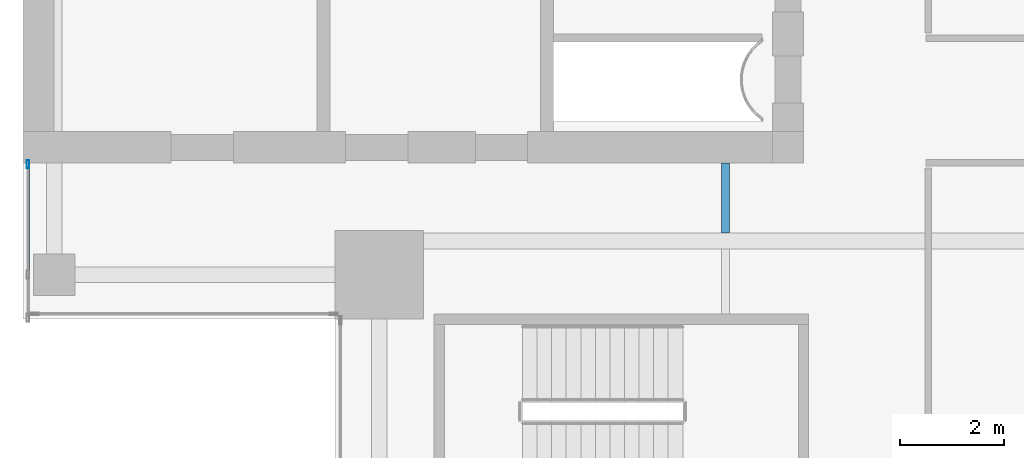
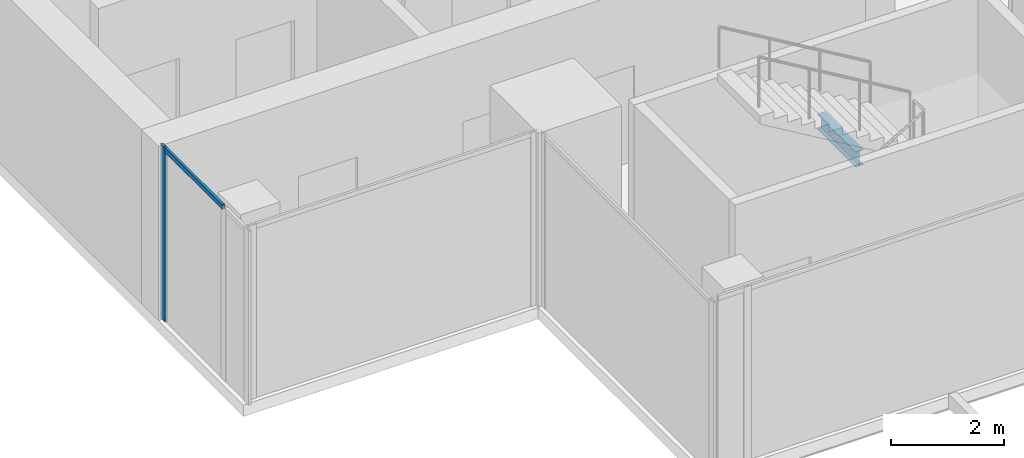
# One storey, part 4 of 29: 2 members, 1 beam, 1 element without a shape of its own.
"""IFC4 building model written with IfcOpenShell, lengths in metres."""

import ifcopenshell
import ifcopenshell.guid

model = None  # the IFC model being written
_history = None  # IfcOwnerHistory: only IFC2X3 demands one
_inside = {}  # id of a spatial element -> (the spatial element, [elements in it])
_under = {}  # id of a project, library or spatial element -> (it, [spatial elements below it])
_declared = {}  # id of a project -> (the project, [libraries it declares])
_typed = {}  # id of a type object -> (the type object, [elements of that type])
_made_of = {}  # id of a material, layer set ... -> (it, [elements and type objects made of it])


def new_model(schema):
    """Start an empty IFC model of exactly this schema.

    Asked for "IFC4X3", IfcOpenShell would pick the latest addendum, in which some entities
    have other attributes; the version numbers below select the first issue.
    IFC2X3 requires an IfcOwnerHistory on every rooted entity: one is made here for all.
    """
    global model, _history
    if schema == "IFC4X3":
        model = ifcopenshell.file(schema_version=(4, 3, 0, 0))
    else:
        model = ifcopenshell.file(schema=schema)
    _inside.clear()
    _under.clear()
    _declared.clear()
    _typed.clear()
    _made_of.clear()
    _history = None
    if model.schema == "IFC2X3":
        org = make("IfcOrganization", Name="unknown")
        user = make(
            "IfcPersonAndOrganization",
            ThePerson=make("IfcPerson", FamilyName="unknown"),
            TheOrganization=org,
        )
        app = make(
            "IfcApplication",
            ApplicationDeveloper=org,
            Version="unknown",
            ApplicationFullName="unknown",
            ApplicationIdentifier="unknown",
        )
        _history = make(
            "IfcOwnerHistory",
            OwningUser=user,
            OwningApplication=app,
            ChangeAction="ADDED",
            CreationDate=0,
        )
    return model


def make(cls, **values):
    """One entity of the class cls with the attributes given. An attribute that is None is left unset."""
    return model.create_entity(
        cls, **{name: value for name, value in values.items() if value is not None}
    )


def rooted(cls, **values):
    """An entity with a GlobalId (a new one), such as an element, a storey or a relation."""
    return make(cls, GlobalId=ifcopenshell.guid.new(), OwnerHistory=_history, **values)


def si_unit(unit_type, name, prefix=None):
    """IfcSIUnit, for example si_unit("LENGTHUNIT", "METRE", prefix="MILLI")."""
    return make("IfcSIUnit", UnitType=unit_type, Prefix=prefix, Name=name)


def assignment(units):
    """IfcUnitAssignment: the units of a project."""
    return None if units is None else make("IfcUnitAssignment", Units=units)


def point(xyz):
    """IfcCartesianPoint."""
    return None if xyz is None else make("IfcCartesianPoint", Coordinates=xyz)


def direction(xyz):
    """IfcDirection."""
    return None if xyz is None else make("IfcDirection", DirectionRatios=xyz)


def frame(location, z_axis=None, x_axis=None):
    """IfcAxis2Placement3D, a coordinate frame: its origin and axes. An axis left out is left unset."""
    return make(
        "IfcAxis2Placement3D",
        Location=point(location),
        Axis=direction(z_axis),
        RefDirection=direction(x_axis),
    )


def frame_2d(location, x_axis=None):
    """IfcAxis2Placement2D, a coordinate frame in the plane: its origin and x axis."""
    return make(
        "IfcAxis2Placement2D", Location=point(location), RefDirection=direction(x_axis)
    )


def origin():
    """The frame at (0, 0, 0) with its axes left unset."""
    return frame((0.0, 0.0, 0.0))


def origin_2d():
    """The frame at (0, 0) in the plane with its x axis left unset."""
    return frame_2d((0.0, 0.0))


def place(relative_to, where):
    """IfcLocalPlacement: puts the frame where relative to a parent placement (None: the world)."""
    return make(
        "IfcLocalPlacement", PlacementRelTo=relative_to, RelativePlacement=where
    )


def context(
    kind, dimensions, precision=None, world=None, true_north=None, identifier=None
):
    """IfcGeometricRepresentationContext, for example the 3D "Model" context."""
    return make(
        "IfcGeometricRepresentationContext",
        ContextIdentifier=identifier,
        ContextType=kind,
        CoordinateSpaceDimension=dimensions,
        Precision=precision,
        WorldCoordinateSystem=world,
        TrueNorth=true_north,
    )


def subcontext(parent, identifier, kind, view, scale=None):
    """IfcGeometricRepresentationSubContext, for example "Body" below "Model"."""
    return make(
        "IfcGeometricRepresentationSubContext",
        ContextIdentifier=identifier,
        ContextType=kind,
        ParentContext=parent,
        TargetScale=scale,
        TargetView=view,
    )


def project(units=None, contexts=None):
    """IfcProject with its units and contexts."""
    return rooted(
        "IfcProject",
        Name="project",
        RepresentationContexts=contexts,
        UnitsInContext=assignment(units),
    )


def spatial(cls, under=None, at=None, **own):
    """A site, building, storey or space (cls), placed at a placement, below another one or the project."""
    s = rooted(cls, ObjectPlacement=at, **own)
    if under is not None:
        _under.setdefault(under.id(), (under, []))[1].append(s)
    return s


def profile(cls, at=None, kind="AREA", **sizes):
    """A parametric profile (cls). Its sizes go by their IFC names, for example OverallWidth=200.0."""
    return make(cls, ProfileType=kind, Position=at, **sizes)


def hollow_rectangle(**sizes):
    """IfcRectangleHollowProfileDef."""
    return profile("IfcRectangleHollowProfileDef", **sizes)


def i_section(**sizes):
    """IfcIShapeProfileDef."""
    return profile("IfcIShapeProfileDef", **sizes)


def extrude(swept, where, along, depth):
    """IfcExtrudedAreaSolid: the profile swept, set in the frame where, extruded along a direction by depth."""
    return make(
        "IfcExtrudedAreaSolid",
        SweptArea=swept,
        Position=where,
        ExtrudedDirection=direction(along),
        Depth=depth,
    )


def shape(context_of_items, identifier, shape_type, items):
    """IfcShapeRepresentation: the items that make up one representation, for example the "Body"."""
    return make(
        "IfcShapeRepresentation",
        ContextOfItems=context_of_items,
        RepresentationIdentifier=identifier,
        RepresentationType=shape_type,
        Items=items,
    )


def source(mapping_origin, context_of_items, identifier, shape_type, items):
    """IfcRepresentationMap: a shape defined once, which mapped items show again and again."""
    return make(
        "IfcRepresentationMap",
        MappingOrigin=mapping_origin,
        MappedRepresentation=shape(context_of_items, identifier, shape_type, items),
    )


def transform(
    local_origin,
    x_axis=None,
    y_axis=None,
    z_axis=None,
    scale=None,
    scale2=None,
    scale3=None,
    uniform=True,
):
    """IfcCartesianTransformationOperator3D, or its non-uniform kind. x_axis, y_axis, z_axis: its Axis1, 2, 3."""
    if uniform:
        return make(
            "IfcCartesianTransformationOperator3D",
            Axis1=direction(x_axis),
            Axis2=direction(y_axis),
            LocalOrigin=point(local_origin),
            Scale=scale,
            Axis3=direction(z_axis),
        )
    return make(
        "IfcCartesianTransformationOperator3DnonUniform",
        Axis1=direction(x_axis),
        Axis2=direction(y_axis),
        LocalOrigin=point(local_origin),
        Scale=scale,
        Axis3=direction(z_axis),
        Scale2=scale2,
        Scale3=scale3,
    )


def mapped(mapping_source, mapping_target):
    """IfcMappedItem: shows the shape of a source again, moved by a transform."""
    return make(
        "IfcMappedItem", MappingSource=mapping_source, MappingTarget=mapping_target
    )


def material(Name=None, Category=None):
    """IfcMaterial."""
    return make("IfcMaterial", Name=Name, Category=Category)


def material_profile(
    of_material, cross_section, Name=None, Category=None, Priority=None
):
    """IfcMaterialProfile: a cross section and its material."""
    return make(
        "IfcMaterialProfile",
        Name=Name,
        Material=of_material,
        Profile=cross_section,
        Priority=Priority,
        Category=Category,
    )


def profile_set(profiles, Name=None, composite=None):
    """IfcMaterialProfileSet."""
    return make(
        "IfcMaterialProfileSet",
        Name=Name,
        MaterialProfiles=profiles,
        CompositeProfile=composite,
    )


def made_of(thing, what):
    """Note that an element or type object is made of a material, layer set ...; save() writes the relation."""
    if what is not None:
        _made_of.setdefault(what.id(), (what, []))[1].append(thing)
    return thing


def type_object(cls, material=None, **own):
    """A type object (cls), such as IfcWallType, which elements share."""
    return made_of(rooted(cls, **own), material)


def element(
    cls,
    number,
    at=None,
    inside=None,
    cuts=None,
    type_object=None,
    material=None,
    context=None,
    identifier="Body",
    shape_type=None,
    held_by="IfcProductDefinitionShape",
    body=None,
    shapes=None,
    **own,
):
    """One element of the class cls, such as IfcWall. Its Tag is "e" and its number.

    at: its placement. inside: the storey or other place that contains it. cuts: it is an
    opening in that element (IfcRelVoidsElement). A single representation is given by context,
    identifier, shape_type and body (its items); several are given by shapes. held_by: the class
    of the entity that holds the representations. save() writes the other relations.
    """
    e = rooted(cls, Tag="e%d" % number, ObjectPlacement=at, **own)
    if body is not None:
        shapes = [shape(context, identifier, shape_type, body)]
    if shapes is not None:
        e.Representation = make(held_by, Representations=shapes)
    if inside is not None:
        _inside.setdefault(inside.id(), (inside, []))[1].append(e)
    if cuts is not None:
        rooted(
            "IfcRelVoidsElement", RelatingBuildingElement=cuts, RelatedOpeningElement=e
        )
    if type_object is not None:
        _typed.setdefault(type_object.id(), (type_object, []))[1].append(e)
    return made_of(e, material)


def aggregate(whole, parts):
    """IfcRelAggregates: a whole, such as a stair, and the parts it consists of."""
    return rooted("IfcRelAggregates", RelatingObject=whole, RelatedObjects=parts)


def save(model, path):
    """Write the relations noted so far, then the file.

    IfcRelAggregates (storeys below a building ...), IfcRelContainedInSpatialStructure (elements
    in a storey), IfcRelDefinesByType, IfcRelAssociatesMaterial and IfcRelDeclares: one each for
    every whole, place, type object, material and project.
    """
    for whole, parts in _under.values():
        aggregate(whole, parts)
    for where, things in _inside.values():
        rooted(
            "IfcRelContainedInSpatialStructure",
            RelatedElements=things,
            RelatingStructure=where,
        )
    for kind, things in _typed.values():
        rooted("IfcRelDefinesByType", RelatedObjects=things, RelatingType=kind)
    for what, things in _made_of.values():
        rooted("IfcRelAssociatesMaterial", RelatedObjects=things, RelatingMaterial=what)
    for by, libraries in _declared.values():
        rooted("IfcRelDeclares", RelatingContext=by, RelatedDefinitions=libraries)
    model.write(path)


model = new_model("IFC4")

# Units and contexts
model_context = context("Model", 3, precision=1e-05, world=origin(), true_north=direction((0.0, 1.0)))
body_context = subcontext(model_context, "Body", "Model", "MODEL_VIEW")
ifc_project = project(units=[si_unit("LENGTHUNIT", "METRE"), si_unit("AREAUNIT", "SQUARE_METRE"), si_unit("VOLUMEUNIT", "CUBIC_METRE"), si_unit("PLANEANGLEUNIT", "RADIAN"), si_unit("MASSUNIT", "GRAM", prefix="KILO")], contexts=[model_context])

# Site, building, storey
site_placement = place(None, origin())
site = spatial("IfcSite", under=ifc_project, at=site_placement, CompositionType="ELEMENT")
building_placement = place(site_placement, origin())
building = spatial("IfcBuilding", under=site, at=building_placement, Name="Khomas Fold Tower", CompositionType="ELEMENT")
storey_placement = place(building_placement, frame((0.0, 0.0, 286.199951171875)))
storey = spatial("IfcBuildingStorey", under=building, at=storey_placement, Name="L64", CompositionType="ELEMENT", Elevation=286.199951171875)

# Beam
ifc_material_1 = material(Name="Steel S355", Category="steel")
ifc_material_profile_1 = material_profile(ifc_material_1, i_section(OverallWidth=0.159912109375, OverallDepth=0.330078125, WebThickness=0.007568359375, FlangeThickness=0.011474609375, at=origin_2d()), Name="IPE 330")
ifc_profile_set_1 = profile_set([ifc_material_profile_1], Name="Steel S355")
beam_type = type_object("IfcBeamType", Name="IPE 330 beam JB1", PredefinedType="BEAM", material=ifc_profile_set_1)
shared_shape_1 = source(origin(), body_context, "Body", "SweptSolid", [
    extrude(i_section(OverallWidth=0.159912109375, OverallDepth=0.330078125, WebThickness=0.007568359375, FlangeThickness=0.011474609375, at=origin_2d()), origin(), (0.0, 0.0, 1.0), 1.35009765625),
])
beam_placement = place(storey_placement, frame((19.5, 13.64990234375, -0.4150390625), z_axis=(0.0, 1.0, 0.0), x_axis=(-1.0, 0.0, 0.0)))
element("IfcBeam", 1, at=beam_placement, inside=storey, type_object=beam_type, Name="JB1", PredefinedType="BEAM", context=body_context, shape_type="MappedRepresentation", body=[
    mapped(shared_shape_1, transform((0.0, 0.0, 0.0))),
])

# Curtain wall, members
ifc_material_2 = material(Name="Aluminium framed double glazing", Category="aluminium")
curtain_wall_type = type_object("IfcCurtainWallType", Name="SK-Unitised clear-glass wall, upper floors CW3", PredefinedType="NOTDEFINED", material=ifc_material_2)
curtain_wall_placement = place(storey_placement, origin())
curtain_wall = element("IfcCurtainWall", 2, at=curtain_wall_placement, inside=storey, type_object=curtain_wall_type, Name="CW3 run L64 09-1", PredefinedType="NOTDEFINED")
ifc_material_3 = material(Name="Aluminium", Category="aluminium")
ifc_material_profile_2 = material_profile(ifc_material_3, hollow_rectangle(XDim=0.050048828125, YDim=0.159912109375, WallThickness=0.00390625, at=origin_2d()), Name="SK-Unitised clear-glass wall, upper floors mullion CW3-M")
ifc_profile_set_2 = profile_set([ifc_material_profile_2], Name="Aluminium")
member_type_1 = type_object("IfcMemberType", Name="SK-Unitised clear-glass wall, upper floors mullion CW3-M", PredefinedType="MULLION", material=ifc_profile_set_2)
shared_shape_2 = source(origin(), body_context, "Body", "SweptSolid", [
    extrude(hollow_rectangle(XDim=0.050048828125, YDim=0.159912109375, WallThickness=0.00390625, at=origin_2d()), origin(), (0.0, 0.0, 1.0), 3.75),
])
member_1_placement = place(storey_placement, frame((6.10009765625, 14.97509765625, 0.0), z_axis=(0.0, 0.0, 1.0), x_axis=(1.0, 0.0, 0.0)))
member_1 = element("IfcMember", 3, at=member_1_placement, type_object=member_type_1, Name="CW3 mullion 1", PredefinedType="MULLION", context=body_context, shape_type="MappedRepresentation", body=[
    mapped(shared_shape_2, transform((0.0, 0.0, 0.0))),
])
ifc_material_4 = material(Name="Aluminium", Category="aluminium")
ifc_material_profile_3 = material_profile(ifc_material_4, hollow_rectangle(XDim=0.050048828125, YDim=0.10009765625, WallThickness=0.00390625, at=origin_2d()), Name="SK-Unitised clear-glass wall, upper floors transom CW3-T")
ifc_profile_set_3 = profile_set([ifc_material_profile_3], Name="Aluminium")
member_type_2 = type_object("IfcMemberType", Name="SK-Unitised clear-glass wall, upper floors transom CW3-T", PredefinedType="USERDEFINED", material=ifc_profile_set_3)
shared_shape_3 = source(origin(), body_context, "Body", "SweptSolid", [
    extrude(hollow_rectangle(XDim=0.050048828125, YDim=0.10009765625, WallThickness=0.00390625, at=origin_2d()), origin(), (0.0, 0.0, 1.0), 2.074951171875),
])
member_2_placement = place(storey_placement, frame((6.10009765625, 14.949951171875, 3.699951171875), z_axis=(0.0, -1.0, 0.0), x_axis=(1.0, 0.0, 0.0)))
member_2 = element("IfcMember", 4, at=member_2_placement, type_object=member_type_2, Name="CW3 transom 1", ObjectType="TRANSOM", PredefinedType="USERDEFINED", context=body_context, shape_type="MappedRepresentation", body=[
    mapped(shared_shape_3, transform((0.0, 0.0, 0.0))),
])
aggregate(curtain_wall, [member_1, member_2])

save(model, "model.ifc")
